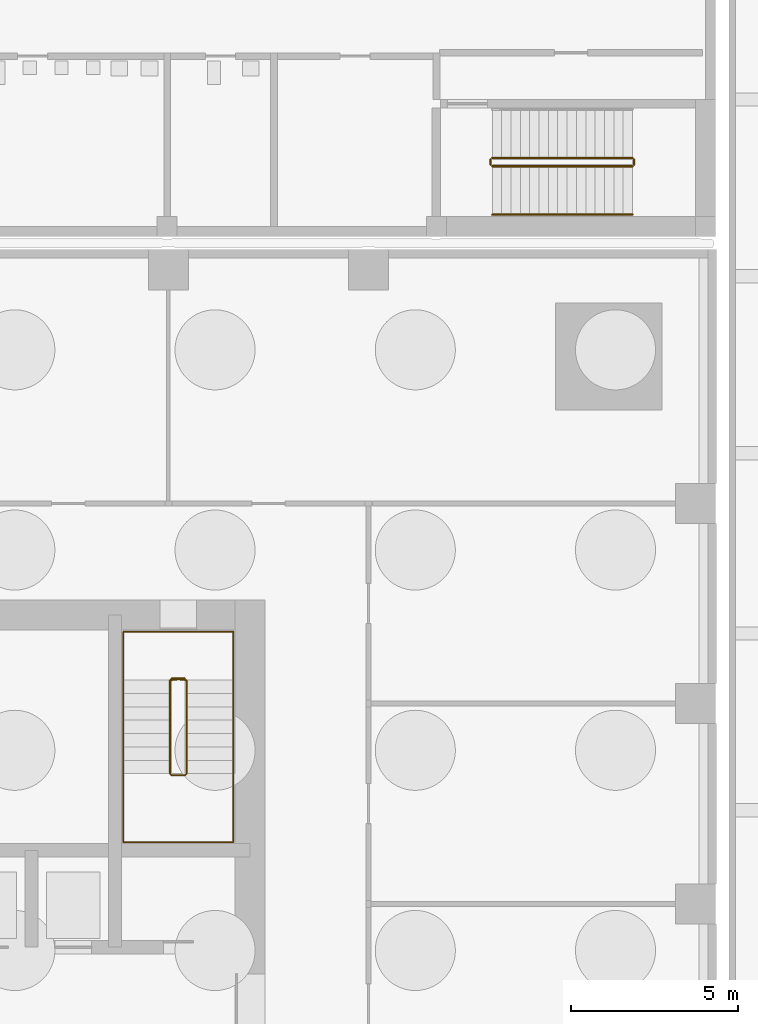
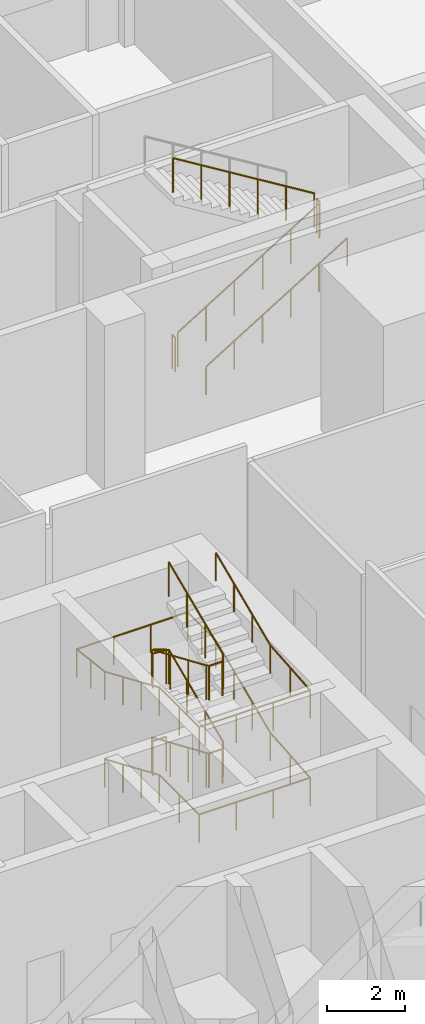
# One storey, part 29 of 33: 7 railings.
"""IFC4 building model written with IfcOpenShell, lengths in metres."""

import ifcopenshell
import ifcopenshell.guid

model = None  # the IFC model being written
_history = None  # IfcOwnerHistory: only IFC2X3 demands one
_inside = {}  # id of a spatial element -> (the spatial element, [elements in it])
_under = {}  # id of a project, library or spatial element -> (it, [spatial elements below it])
_declared = {}  # id of a project -> (the project, [libraries it declares])
_typed = {}  # id of a type object -> (the type object, [elements of that type])
_made_of = {}  # id of a material, layer set ... -> (it, [elements and type objects made of it])


def new_model(schema):
    """Start an empty IFC model of exactly this schema.

    Asked for "IFC4X3", IfcOpenShell would pick the latest addendum, in which some entities
    have other attributes; the version numbers below select the first issue.
    IFC2X3 requires an IfcOwnerHistory on every rooted entity: one is made here for all.
    """
    global model, _history
    if schema == "IFC4X3":
        model = ifcopenshell.file(schema_version=(4, 3, 0, 0))
    else:
        model = ifcopenshell.file(schema=schema)
    _inside.clear()
    _under.clear()
    _declared.clear()
    _typed.clear()
    _made_of.clear()
    _history = None
    if model.schema == "IFC2X3":
        org = make("IfcOrganization", Name="unknown")
        user = make(
            "IfcPersonAndOrganization",
            ThePerson=make("IfcPerson", FamilyName="unknown"),
            TheOrganization=org,
        )
        app = make(
            "IfcApplication",
            ApplicationDeveloper=org,
            Version="unknown",
            ApplicationFullName="unknown",
            ApplicationIdentifier="unknown",
        )
        _history = make(
            "IfcOwnerHistory",
            OwningUser=user,
            OwningApplication=app,
            ChangeAction="ADDED",
            CreationDate=0,
        )
    return model


def make(cls, **values):
    """One entity of the class cls with the attributes given. An attribute that is None is left unset."""
    return model.create_entity(
        cls, **{name: value for name, value in values.items() if value is not None}
    )


def rooted(cls, **values):
    """An entity with a GlobalId (a new one), such as an element, a storey or a relation."""
    return make(cls, GlobalId=ifcopenshell.guid.new(), OwnerHistory=_history, **values)


def si_unit(unit_type, name, prefix=None):
    """IfcSIUnit, for example si_unit("LENGTHUNIT", "METRE", prefix="MILLI")."""
    return make("IfcSIUnit", UnitType=unit_type, Prefix=prefix, Name=name)


def assignment(units):
    """IfcUnitAssignment: the units of a project."""
    return None if units is None else make("IfcUnitAssignment", Units=units)


def point(xyz):
    """IfcCartesianPoint."""
    return None if xyz is None else make("IfcCartesianPoint", Coordinates=xyz)


def direction(xyz):
    """IfcDirection."""
    return None if xyz is None else make("IfcDirection", DirectionRatios=xyz)


def frame(location, z_axis=None, x_axis=None):
    """IfcAxis2Placement3D, a coordinate frame: its origin and axes. An axis left out is left unset."""
    return make(
        "IfcAxis2Placement3D",
        Location=point(location),
        Axis=direction(z_axis),
        RefDirection=direction(x_axis),
    )


def frame_2d(location, x_axis=None):
    """IfcAxis2Placement2D, a coordinate frame in the plane: its origin and x axis."""
    return make(
        "IfcAxis2Placement2D", Location=point(location), RefDirection=direction(x_axis)
    )


def origin():
    """The frame at (0, 0, 0) with its axes left unset."""
    return frame((0.0, 0.0, 0.0))


def origin_2d():
    """The frame at (0, 0) in the plane with its x axis left unset."""
    return frame_2d((0.0, 0.0))


def place(relative_to, where):
    """IfcLocalPlacement: puts the frame where relative to a parent placement (None: the world)."""
    return make(
        "IfcLocalPlacement", PlacementRelTo=relative_to, RelativePlacement=where
    )


def context(
    kind, dimensions, precision=None, world=None, true_north=None, identifier=None
):
    """IfcGeometricRepresentationContext, for example the 3D "Model" context."""
    return make(
        "IfcGeometricRepresentationContext",
        ContextIdentifier=identifier,
        ContextType=kind,
        CoordinateSpaceDimension=dimensions,
        Precision=precision,
        WorldCoordinateSystem=world,
        TrueNorth=true_north,
    )


def subcontext(parent, identifier, kind, view, scale=None):
    """IfcGeometricRepresentationSubContext, for example "Body" below "Model"."""
    return make(
        "IfcGeometricRepresentationSubContext",
        ContextIdentifier=identifier,
        ContextType=kind,
        ParentContext=parent,
        TargetScale=scale,
        TargetView=view,
    )


def project(units=None, contexts=None):
    """IfcProject with its units and contexts."""
    return rooted(
        "IfcProject",
        Name="project",
        RepresentationContexts=contexts,
        UnitsInContext=assignment(units),
    )


def spatial(cls, under=None, at=None, **own):
    """A site, building, storey or space (cls), placed at a placement, below another one or the project."""
    s = rooted(cls, ObjectPlacement=at, **own)
    if under is not None:
        _under.setdefault(under.id(), (under, []))[1].append(s)
    return s


def profile(cls, at=None, kind="AREA", **sizes):
    """A parametric profile (cls). Its sizes go by their IFC names, for example OverallWidth=200.0."""
    return make(cls, ProfileType=kind, Position=at, **sizes)


def circle(**sizes):
    """IfcCircleProfileDef."""
    return profile("IfcCircleProfileDef", **sizes)


def extrude(swept, where, along, depth):
    """IfcExtrudedAreaSolid: the profile swept, set in the frame where, extruded along a direction by depth."""
    return make(
        "IfcExtrudedAreaSolid",
        SweptArea=swept,
        Position=where,
        ExtrudedDirection=direction(along),
        Depth=depth,
    )


def shape(context_of_items, identifier, shape_type, items):
    """IfcShapeRepresentation: the items that make up one representation, for example the "Body"."""
    return make(
        "IfcShapeRepresentation",
        ContextOfItems=context_of_items,
        RepresentationIdentifier=identifier,
        RepresentationType=shape_type,
        Items=items,
    )


def material(Name=None, Category=None):
    """IfcMaterial."""
    return make("IfcMaterial", Name=Name, Category=Category)


def made_of(thing, what):
    """Note that an element or type object is made of a material, layer set ...; save() writes the relation."""
    if what is not None:
        _made_of.setdefault(what.id(), (what, []))[1].append(thing)
    return thing


def type_object(cls, material=None, **own):
    """A type object (cls), such as IfcWallType, which elements share."""
    return made_of(rooted(cls, **own), material)


def element(
    cls,
    number,
    at=None,
    inside=None,
    cuts=None,
    type_object=None,
    material=None,
    context=None,
    identifier="Body",
    shape_type=None,
    held_by="IfcProductDefinitionShape",
    body=None,
    shapes=None,
    **own,
):
    """One element of the class cls, such as IfcWall. Its Tag is "e" and its number.

    at: its placement. inside: the storey or other place that contains it. cuts: it is an
    opening in that element (IfcRelVoidsElement). A single representation is given by context,
    identifier, shape_type and body (its items); several are given by shapes. held_by: the class
    of the entity that holds the representations. save() writes the other relations.
    """
    e = rooted(cls, Tag="e%d" % number, ObjectPlacement=at, **own)
    if body is not None:
        shapes = [shape(context, identifier, shape_type, body)]
    if shapes is not None:
        e.Representation = make(held_by, Representations=shapes)
    if inside is not None:
        _inside.setdefault(inside.id(), (inside, []))[1].append(e)
    if cuts is not None:
        rooted(
            "IfcRelVoidsElement", RelatingBuildingElement=cuts, RelatedOpeningElement=e
        )
    if type_object is not None:
        _typed.setdefault(type_object.id(), (type_object, []))[1].append(e)
    return made_of(e, material)


def aggregate(whole, parts):
    """IfcRelAggregates: a whole, such as a stair, and the parts it consists of."""
    return rooted("IfcRelAggregates", RelatingObject=whole, RelatedObjects=parts)


def save(model, path):
    """Write the relations noted so far, then the file.

    IfcRelAggregates (storeys below a building ...), IfcRelContainedInSpatialStructure (elements
    in a storey), IfcRelDefinesByType, IfcRelAssociatesMaterial and IfcRelDeclares: one each for
    every whole, place, type object, material and project.
    """
    for whole, parts in _under.values():
        aggregate(whole, parts)
    for where, things in _inside.values():
        rooted(
            "IfcRelContainedInSpatialStructure",
            RelatedElements=things,
            RelatingStructure=where,
        )
    for kind, things in _typed.values():
        rooted("IfcRelDefinesByType", RelatedObjects=things, RelatingType=kind)
    for what, things in _made_of.values():
        rooted("IfcRelAssociatesMaterial", RelatedObjects=things, RelatingMaterial=what)
    for by, libraries in _declared.values():
        rooted("IfcRelDeclares", RelatingContext=by, RelatedDefinitions=libraries)
    model.write(path)


model = new_model("IFC4")

# Units and contexts
model_context = context("Model", 3, precision=1e-05, world=origin(), true_north=direction((0.0, 1.0)))
body_context = subcontext(model_context, "Body", "Model", "MODEL_VIEW")
ifc_project = project(units=[si_unit("LENGTHUNIT", "METRE"), si_unit("AREAUNIT", "SQUARE_METRE"), si_unit("VOLUMEUNIT", "CUBIC_METRE"), si_unit("PLANEANGLEUNIT", "RADIAN"), si_unit("MASSUNIT", "GRAM", prefix="KILO")], contexts=[model_context])

# Site, building, storey
site_placement = place(None, origin())
site = spatial("IfcSite", under=ifc_project, at=site_placement, CompositionType="ELEMENT")
building_placement = place(site_placement, origin())
building = spatial("IfcBuilding", under=site, at=building_placement, Name="Amberfall Residences", CompositionType="ELEMENT")
storey_placement = place(building_placement, origin())
storey = spatial("IfcBuildingStorey", under=building, at=storey_placement, Name="L00", CompositionType="ELEMENT", Elevation=0.0)

# Railings
ifc_material_1 = material(Name="Stainless steel", Category="steel")
railing_type_1 = type_object("IfcRailingType", Name="School stair guard 1100", PredefinedType="GUARDRAIL", material=ifc_material_1)
railing_1_placement = place(storey_placement, frame((93.30810546875, 70.5, 0.171875)))
element("IfcRailing", 1, at=railing_1_placement, inside=storey, type_object=railing_type_1, Name="L00 SS5 stair guard 1", PredefinedType="GUARDRAIL", context=body_context, shape_type="SweptSolid", body=[
    extrude(circle(Radius=0.02392578125, at=origin_2d()), frame((0.0, 0.0, 1.076171875), z_axis=(0.852242915053, 0.0, 0.523146264196), x_axis=(0.0, 1.0, 0.0)), (0.0, 0.0, 1.0), 4.92822265625),
    extrude(circle(Radius=0.02099609375, at=origin_2d()), origin(), (0.0, 0.0, 1.0), 1.052001953125),
    extrude(circle(Radius=0.02099609375, at=origin_2d()), frame((0.840087890625, 0.0, 0.515625)), (0.0, 0.0, 1.0), 1.052001953125),
    extrude(circle(Radius=0.02099609375, at=origin_2d()), frame((1.679931640625, 0.0, 1.03125)), (0.0, 0.0, 1.0), 1.052001953125),
    extrude(circle(Radius=0.02099609375, at=origin_2d()), frame((2.52001953125, 0.0, 1.546875)), (0.0, 0.0, 1.0), 1.052001953125),
    extrude(circle(Radius=0.02099609375, at=origin_2d()), frame((3.35986328125, 0.0, 2.0625)), (0.0, 0.0, 1.0), 1.052001953125),
    extrude(circle(Radius=0.02099609375, at=origin_2d()), frame((4.199951171875, 0.0, 2.578125)), (0.0, 0.0, 1.0), 1.052001953125),
])
railing_2_placement = place(storey_placement, frame((97.55810546875, 70.550048828125, 2.75)))
element("IfcRailing", 2, at=railing_2_placement, inside=storey, type_object=railing_type_1, Name="L00 SS5 stair guard 2", PredefinedType="GUARDRAIL", context=body_context, shape_type="SweptSolid", body=[
    extrude(circle(Radius=0.02392578125, at=origin_2d()), frame((0.0, 0.0, 1.076171875), z_axis=(0.0, 1.0, 0.0), x_axis=(-1.0, 0.0, 0.0)), (0.0, 0.0, 1.0), 0.14990234375),
    extrude(circle(Radius=0.02099609375, at=origin_2d()), origin(), (0.0, 0.0, 1.0), 1.052001953125),
    extrude(circle(Radius=0.02099609375, at=origin_2d()), frame((0.0, 0.14990234375, 0.0)), (0.0, 0.0, 1.0), 1.052001953125),
])
railing_3_placement = place(storey_placement, frame((97.508056640625, 70.75, 2.921875)))
element("IfcRailing", 3, at=railing_3_placement, inside=storey, type_object=railing_type_1, Name="L00 SS5 stair guard 3", PredefinedType="GUARDRAIL", context=body_context, shape_type="SweptSolid", body=[
    extrude(circle(Radius=0.02392578125, at=origin_2d()), frame((0.0, 0.0, 1.076171875), z_axis=(-0.852242915053, 0.0, 0.523146264196), x_axis=(0.0, -1.0, 0.0)), (0.0, 0.0, 1.0), 4.92822265625),
    extrude(circle(Radius=0.02099609375, at=origin_2d()), origin(), (0.0, 0.0, 1.0), 1.052001953125),
    extrude(circle(Radius=0.02099609375, at=origin_2d()), frame((-0.840087890625, 0.0, 0.515625)), (0.0, 0.0, 1.0), 1.052001953125),
    extrude(circle(Radius=0.02099609375, at=origin_2d()), frame((-1.679931640625, 0.0, 1.03125)), (0.0, 0.0, 1.0), 1.052001953125),
    extrude(circle(Radius=0.02099609375, at=origin_2d()), frame((-2.52001953125, 0.0, 1.546875)), (0.0, 0.0, 1.0), 1.052001953125),
    extrude(circle(Radius=0.02099609375, at=origin_2d()), frame((-3.35986328125, 0.0, 2.0625)), (0.0, 0.0, 1.0), 1.052001953125),
    extrude(circle(Radius=0.02099609375, at=origin_2d()), frame((-4.199951171875, 0.0, 2.578125)), (0.0, 0.0, 1.0), 1.052001953125),
])
railing_4_placement = place(storey_placement, frame((93.258056640625, 70.550048828125, 0.0)))
element("IfcRailing", 4, at=railing_4_placement, inside=storey, type_object=railing_type_1, Name="L00 SS5 stair guard 4", PredefinedType="GUARDRAIL", context=body_context, shape_type="SweptSolid", body=[
    extrude(circle(Radius=0.02392578125, at=origin_2d()), frame((0.0, 0.0, 1.076171875), z_axis=(0.0, 1.0, 0.0), x_axis=(-1.0, 0.0, 0.0)), (0.0, 0.0, 1.0), 0.14990234375),
    extrude(circle(Radius=0.02099609375, at=origin_2d()), origin(), (0.0, 0.0, 1.0), 1.052001953125),
    extrude(circle(Radius=0.02099609375, at=origin_2d()), frame((0.0, 0.14990234375, 0.0)), (0.0, 0.0, 1.0), 1.052001953125),
])
railing_type_2 = type_object("IfcRailingType", Name="School stair handrail", PredefinedType="HANDRAIL", material=ifc_material_1)
railing_5_placement = place(storey_placement, frame((93.30810546875, 69.050048828125, 0.171875)))
element("IfcRailing", 5, at=railing_5_placement, inside=storey, type_object=railing_type_2, Name="L00 SS5 stair handrail 1", PredefinedType="HANDRAIL", context=body_context, shape_type="SweptSolid", body=[
    extrude(circle(Radius=0.02392578125, at=origin_2d()), frame((0.0, 0.0, 0.8759765625), z_axis=(0.852242915053, 0.0, 0.523146264196), x_axis=(0.0, 1.0, 0.0)), (0.0, 0.0, 1.0), 4.92822265625),
    extrude(circle(Radius=0.02099609375, at=origin_2d()), origin(), (0.0, 0.0, 1.0), 0.851806640625),
    extrude(circle(Radius=0.02099609375, at=origin_2d()), frame((0.840087890625, 0.0, 0.515625)), (0.0, 0.0, 1.0), 0.851806640625),
    extrude(circle(Radius=0.02099609375, at=origin_2d()), frame((1.679931640625, 0.0, 1.03125)), (0.0, 0.0, 1.0), 0.851806640625),
    extrude(circle(Radius=0.02099609375, at=origin_2d()), frame((2.52001953125, 0.0, 1.546875)), (0.0, 0.0, 1.0), 0.851806640625),
    extrude(circle(Radius=0.02099609375, at=origin_2d()), frame((3.35986328125, 0.0, 2.0625)), (0.0, 0.0, 1.0), 0.851806640625),
    extrude(circle(Radius=0.02099609375, at=origin_2d()), frame((4.199951171875, 0.0, 2.578125)), (0.0, 0.0, 1.0), 0.851806640625),
])
ifc_material_2 = material(Name="Stainless steel 316", Category="steel")
railing_type_3 = type_object("IfcRailingType", Name="Stair guard 1100", PredefinedType="GUARDRAIL", material=ifc_material_2)
railing_6_placement = place(storey_placement, frame((84.10009765625, 55.14990234375, 0.0)))
element("IfcRailing", 6, at=railing_6_placement, inside=storey, type_object=railing_type_3, Name="L00 stair 3 guard", PredefinedType="GUARDRAIL", context=body_context, shape_type="SweptSolid", body=[
    extrude(circle(Radius=0.02392578125, at=origin_2d()), frame((0.0, 0.0, 1.076171875), z_axis=(-1.0, 0.0, 0.0), x_axis=(0.0, -1.0, 0.0)), (0.0, 0.0, 1.0), 0.400146484375),
    extrude(circle(Radius=0.02392578125, at=origin_2d()), frame((-0.400146484375, 0.0, 1.076171875), z_axis=(-0.26935076646, -0.268036860282, 0.924989949209), x_axis=(0.705375805398, -0.708833529934, 0.0)), (0.0, 0.0, 1.0), 0.185791015625),
    extrude(circle(Radius=0.02392578125, at=origin_2d()), frame((-0.4501953125, -0.0498046875, 1.248046875), z_axis=(0.0, -0.918775847296, 0.394779612475), x_axis=(1.0, 0.0, 0.0)), (0.0, 0.0, 1.0), 3.047607421875),
    extrude(circle(Radius=0.02392578125, at=origin_2d()), frame((-0.4501953125, -2.849853515625, 2.451171875), z_axis=(0.707106781187, -0.707106781187, 0.0), x_axis=(0.707106781187, 0.707106781187, 0.0)), (0.0, 0.0, 1.0), 0.07080078125),
    extrude(circle(Radius=0.02392578125, at=origin_2d()), frame((-0.400146484375, -2.89990234375, 2.451171875), z_axis=(1.0, 0.0, 0.0), x_axis=(0.0, 1.0, 0.0)), (0.0, 0.0, 1.0), 0.400146484375),
    extrude(circle(Radius=0.02392578125, at=origin_2d()), frame((0.0, -2.89990234375, 2.451171875), z_axis=(0.268036860282, 0.26935076646, 0.924989949209), x_axis=(-0.708833529934, 0.705375805398, 0.0)), (0.0, 0.0, 1.0), 0.185791015625),
    extrude(circle(Radius=0.02392578125, at=origin_2d()), frame((0.0498046875, -2.849853515625, 2.623046875), z_axis=(0.0, 0.918775847296, 0.394779612475), x_axis=(-1.0, 0.0, 0.0)), (0.0, 0.0, 1.0), 3.047607421875),
    extrude(circle(Radius=0.02392578125, at=origin_2d()), frame((0.0498046875, -0.0498046875, 3.826171875), z_axis=(-0.993929686101, 0.110017176324, 0.0), x_axis=(-0.110017176324, -0.993929686101, 0.0)), (0.0, 0.0, 1.0), 0.45263671875),
    extrude(circle(Radius=0.02392578125, at=origin_2d()), frame((-0.400146484375, 0.0, 3.826171875), z_axis=(1.0, 0.0, 0.0), x_axis=(0.0, 1.0, 0.0)), (0.0, 0.0, 1.0), 0.400146484375),
    extrude(circle(Radius=0.02392578125, at=origin_2d()), frame((0.0, 0.0, 3.826171875), z_axis=(-0.929280626742, -0.102805448945, 0.354779588518), x_axis=(0.109958235639, -0.993936208423, 0.0)), (0.0, 0.0, 1.0), 0.484375),
    extrude(circle(Radius=0.02392578125, at=origin_2d()), frame((-0.4501953125, -0.0498046875, 3.998046875), z_axis=(0.0, -0.918775847296, 0.394779612475), x_axis=(1.0, 0.0, 0.0)), (0.0, 0.0, 1.0), 3.047607421875),
    extrude(circle(Radius=0.02392578125, at=origin_2d()), frame((-0.4501953125, -2.849853515625, 5.201171875), z_axis=(0.707106781187, -0.707106781187, 0.0), x_axis=(0.707106781187, 0.707106781187, 0.0)), (0.0, 0.0, 1.0), 0.07080078125),
    extrude(circle(Radius=0.02392578125, at=origin_2d()), frame((-0.400146484375, -2.89990234375, 5.201171875), z_axis=(1.0, 0.0, 0.0), x_axis=(0.0, 1.0, 0.0)), (0.0, 0.0, 1.0), 0.400146484375),
    extrude(circle(Radius=0.02392578125, at=origin_2d()), frame((0.0, -2.89990234375, 5.201171875), z_axis=(0.268036860282, 0.26935076646, 0.924989949209), x_axis=(-0.708833529934, 0.705375805398, 0.0)), (0.0, 0.0, 1.0), 0.185791015625),
    extrude(circle(Radius=0.02392578125, at=origin_2d()), frame((0.0498046875, -2.849853515625, 5.373046875), z_axis=(0.0, 0.918775847296, 0.394779612475), x_axis=(-1.0, 0.0, 0.0)), (0.0, 0.0, 1.0), 3.047607421875),
    extrude(circle(Radius=0.02099609375, at=origin_2d()), origin(), (0.0, 0.0, 1.0), 1.052001953125),
    extrude(circle(Radius=0.02099609375, at=origin_2d()), frame((-0.400146484375, 0.0, 0.0)), (0.0, 0.0, 1.0), 1.052001953125),
    extrude(circle(Radius=0.02099609375, at=origin_2d()), frame((-0.4501953125, -0.0498046875, 0.171875)), (0.0, 0.0, 1.0), 1.052001953125),
    extrude(circle(Radius=0.02099609375, at=origin_2d()), frame((-0.4501953125, -0.983154296875, 0.572998046875)), (0.0, 0.0, 1.0), 1.052001953125),
    extrude(circle(Radius=0.02099609375, at=origin_2d()), frame((-0.4501953125, -1.91650390625, 0.973876953125)), (0.0, 0.0, 1.0), 1.052001953125),
    extrude(circle(Radius=0.02099609375, at=origin_2d()), frame((-0.4501953125, -2.849853515625, 1.375)), (0.0, 0.0, 1.0), 1.052001953125),
    extrude(circle(Radius=0.02099609375, at=origin_2d()), frame((-0.400146484375, -2.89990234375, 1.375)), (0.0, 0.0, 1.0), 1.052001953125),
    extrude(circle(Radius=0.02099609375, at=origin_2d()), frame((0.0, -2.89990234375, 1.375)), (0.0, 0.0, 1.0), 1.052001953125),
    extrude(circle(Radius=0.02099609375, at=origin_2d()), frame((0.0498046875, -2.849853515625, 1.546875)), (0.0, 0.0, 1.0), 1.052001953125),
    extrude(circle(Radius=0.02099609375, at=origin_2d()), frame((0.0498046875, -1.91650390625, 1.947998046875)), (0.0, 0.0, 1.0), 1.052001953125),
    extrude(circle(Radius=0.02099609375, at=origin_2d()), frame((0.0498046875, -0.983154296875, 2.348876953125)), (0.0, 0.0, 1.0), 1.052001953125),
    extrude(circle(Radius=0.02099609375, at=origin_2d()), frame((0.0498046875, -0.0498046875, 2.75)), (0.0, 0.0, 1.0), 1.052001953125),
    extrude(circle(Radius=0.02099609375, at=origin_2d()), frame((-0.400146484375, 0.0, 2.75)), (0.0, 0.0, 1.0), 1.052001953125),
    extrude(circle(Radius=0.02099609375, at=origin_2d()), frame((0.0, 0.0, 2.75)), (0.0, 0.0, 1.0), 1.052001953125),
    extrude(circle(Radius=0.02099609375, at=origin_2d()), frame((-0.4501953125, -0.0498046875, 2.921875)), (0.0, 0.0, 1.0), 1.052001953125),
    extrude(circle(Radius=0.02099609375, at=origin_2d()), frame((-0.4501953125, -0.983154296875, 3.322998046875)), (0.0, 0.0, 1.0), 1.052001953125),
    extrude(circle(Radius=0.02099609375, at=origin_2d()), frame((-0.4501953125, -1.91650390625, 3.723876953125)), (0.0, 0.0, 1.0), 1.052001953125),
    extrude(circle(Radius=0.02099609375, at=origin_2d()), frame((-0.4501953125, -2.849853515625, 4.125)), (0.0, 0.0, 1.0), 1.052001953125),
    extrude(circle(Radius=0.02099609375, at=origin_2d()), frame((-0.400146484375, -2.89990234375, 4.125)), (0.0, 0.0, 1.0), 1.052001953125),
    extrude(circle(Radius=0.02099609375, at=origin_2d()), frame((0.0, -2.89990234375, 4.125)), (0.0, 0.0, 1.0), 1.052001953125),
    extrude(circle(Radius=0.02099609375, at=origin_2d()), frame((0.0498046875, -2.849853515625, 4.296875)), (0.0, 0.0, 1.0), 1.052001953125),
    extrude(circle(Radius=0.02099609375, at=origin_2d()), frame((0.0498046875, -1.91650390625, 4.697998046875)), (0.0, 0.0, 1.0), 1.052001953125),
    extrude(circle(Radius=0.02099609375, at=origin_2d()), frame((0.0498046875, -0.983154296875, 5.098876953125)), (0.0, 0.0, 1.0), 1.052001953125),
    extrude(circle(Radius=0.02099609375, at=origin_2d()), frame((0.0498046875, -0.0498046875, 5.5)), (0.0, 0.0, 1.0), 1.052001953125),
])
railing_type_4 = type_object("IfcRailingType", Name="Stair handrail 900", PredefinedType="HANDRAIL", material=ifc_material_2)
railing_7_placement = place(storey_placement, frame((82.25, 55.10009765625, 0.171875)))
element("IfcRailing", 7, at=railing_7_placement, inside=storey, type_object=railing_type_4, Name="L00 stair 3 handrail", PredefinedType="HANDRAIL", context=body_context, shape_type="SweptSolid", body=[
    extrude(circle(Radius=0.02392578125, at=origin_2d()), frame((0.0, 0.0, 0.8759765625), z_axis=(0.0, -0.918775847296, 0.394779612475), x_axis=(1.0, 0.0, 0.0)), (0.0, 0.0, 1.0), 3.047607421875),
    extrude(circle(Radius=0.02392578125, at=origin_2d()), frame((0.0, -2.800048828125, 2.0791015625), z_axis=(0.0, -1.0, 0.0), x_axis=(1.0, 0.0, 0.0)), (0.0, 0.0, 1.0), 2.050048828125),
    extrude(circle(Radius=0.02392578125, at=origin_2d()), frame((0.0, -4.85009765625, 2.0791015625), z_axis=(1.0, 0.0, 0.0), x_axis=(0.0, 1.0, 0.0)), (0.0, 0.0, 1.0), 3.300048828125),
    extrude(circle(Radius=0.02392578125, at=origin_2d()), frame((3.300048828125, -4.85009765625, 2.0791015625), z_axis=(0.0, 0.996503891927, 0.083546354641), x_axis=(-1.0, 0.0, 0.0)), (0.0, 0.0, 1.0), 2.05712890625),
    extrude(circle(Radius=0.02392578125, at=origin_2d()), frame((3.300048828125, -2.800048828125, 2.2509765625), z_axis=(0.0, 0.918775847296, 0.394779612475), x_axis=(-1.0, 0.0, 0.0)), (0.0, 0.0, 1.0), 3.047607421875),
    extrude(circle(Radius=0.02392578125, at=origin_2d()), frame((3.300048828125, 0.0, 3.4541015625), z_axis=(0.0, 1.0, 0.0), x_axis=(-1.0, 0.0, 0.0)), (0.0, 0.0, 1.0), 1.449951171875),
    extrude(circle(Radius=0.02392578125, at=origin_2d()), frame((3.300048828125, 1.449951171875, 3.4541015625), z_axis=(-1.0, 0.0, 0.0), x_axis=(0.0, -1.0, 0.0)), (0.0, 0.0, 1.0), 3.300048828125),
    extrude(circle(Radius=0.02392578125, at=origin_2d()), frame((0.0, 1.449951171875, 3.4541015625), z_axis=(0.0, -0.993047498959, 0.117714335623), x_axis=(1.0, 0.0, 0.0)), (0.0, 0.0, 1.0), 1.460205078125),
    extrude(circle(Radius=0.02392578125, at=origin_2d()), frame((0.0, 0.0, 3.6259765625), z_axis=(0.0, -0.918775847296, 0.394779612475), x_axis=(1.0, 0.0, 0.0)), (0.0, 0.0, 1.0), 3.047607421875),
    extrude(circle(Radius=0.02392578125, at=origin_2d()), frame((0.0, -2.800048828125, 4.8291015625), z_axis=(0.0, -1.0, 0.0), x_axis=(1.0, 0.0, 0.0)), (0.0, 0.0, 1.0), 2.050048828125),
    extrude(circle(Radius=0.02392578125, at=origin_2d()), frame((0.0, -4.85009765625, 4.8291015625), z_axis=(1.0, 0.0, 0.0), x_axis=(0.0, 1.0, 0.0)), (0.0, 0.0, 1.0), 3.300048828125),
    extrude(circle(Radius=0.02392578125, at=origin_2d()), frame((3.300048828125, -4.85009765625, 4.8291015625), z_axis=(0.0, 0.996503891927, 0.083546354641), x_axis=(-1.0, 0.0, 0.0)), (0.0, 0.0, 1.0), 2.05712890625),
    extrude(circle(Radius=0.02392578125, at=origin_2d()), frame((3.300048828125, -2.800048828125, 5.0009765625), z_axis=(0.0, 0.918775847296, 0.394779612475), x_axis=(-1.0, 0.0, 0.0)), (0.0, 0.0, 1.0), 3.047607421875),
    extrude(circle(Radius=0.02099609375, at=origin_2d()), origin(), (0.0, 0.0, 1.0), 0.851806640625),
    extrude(circle(Radius=0.02099609375, at=origin_2d()), frame((0.0, -0.933349609375, 0.401123046875)), (0.0, 0.0, 1.0), 0.851806640625),
    extrude(circle(Radius=0.02099609375, at=origin_2d()), frame((0.0, -1.86669921875, 0.802001953125)), (0.0, 0.0, 1.0), 0.851806640625),
    extrude(circle(Radius=0.02099609375, at=origin_2d()), frame((0.0, -2.800048828125, 1.203125)), (0.0, 0.0, 1.0), 0.851806640625),
    extrude(circle(Radius=0.02099609375, at=origin_2d()), frame((0.0, -3.8251953125, 1.203125)), (0.0, 0.0, 1.0), 0.851806640625),
    extrude(circle(Radius=0.02099609375, at=origin_2d()), frame((0.0, -4.85009765625, 1.203125)), (0.0, 0.0, 1.0), 0.851806640625),
    extrude(circle(Radius=0.02099609375, at=origin_2d()), frame((1.10009765625, -4.85009765625, 1.203125)), (0.0, 0.0, 1.0), 0.851806640625),
    extrude(circle(Radius=0.02099609375, at=origin_2d()), frame((2.199951171875, -4.85009765625, 1.203125)), (0.0, 0.0, 1.0), 0.851806640625),
    extrude(circle(Radius=0.02099609375, at=origin_2d()), frame((3.300048828125, -4.85009765625, 1.203125)), (0.0, 0.0, 1.0), 0.851806640625),
    extrude(circle(Radius=0.02099609375, at=origin_2d()), frame((3.300048828125, -3.8251953125, 1.2890625)), (0.0, 0.0, 1.0), 0.851806640625),
    extrude(circle(Radius=0.02099609375, at=origin_2d()), frame((3.300048828125, -2.800048828125, 1.375)), (0.0, 0.0, 1.0), 0.851806640625),
    extrude(circle(Radius=0.02099609375, at=origin_2d()), frame((3.300048828125, -1.86669921875, 1.776123046875)), (0.0, 0.0, 1.0), 0.851806640625),
    extrude(circle(Radius=0.02099609375, at=origin_2d()), frame((3.300048828125, -0.933349609375, 2.177001953125)), (0.0, 0.0, 1.0), 0.851806640625),
    extrude(circle(Radius=0.02099609375, at=origin_2d()), frame((3.300048828125, 0.0, 2.578125)), (0.0, 0.0, 1.0), 0.851806640625),
    extrude(circle(Radius=0.02099609375, at=origin_2d()), frame((3.300048828125, 0.72509765625, 2.578125)), (0.0, 0.0, 1.0), 0.851806640625),
    extrude(circle(Radius=0.02099609375, at=origin_2d()), frame((3.300048828125, 1.449951171875, 2.578125)), (0.0, 0.0, 1.0), 0.851806640625),
    extrude(circle(Radius=0.02099609375, at=origin_2d()), frame((2.199951171875, 1.449951171875, 2.578125)), (0.0, 0.0, 1.0), 0.851806640625),
    extrude(circle(Radius=0.02099609375, at=origin_2d()), frame((1.10009765625, 1.449951171875, 2.578125)), (0.0, 0.0, 1.0), 0.851806640625),
    extrude(circle(Radius=0.02099609375, at=origin_2d()), frame((0.0, 1.449951171875, 2.578125)), (0.0, 0.0, 1.0), 0.851806640625),
    extrude(circle(Radius=0.02099609375, at=origin_2d()), frame((0.0, 0.72509765625, 2.6640625)), (0.0, 0.0, 1.0), 0.851806640625),
    extrude(circle(Radius=0.02099609375, at=origin_2d()), frame((0.0, 0.0, 2.75)), (0.0, 0.0, 1.0), 0.851806640625),
    extrude(circle(Radius=0.02099609375, at=origin_2d()), frame((0.0, -0.933349609375, 3.151123046875)), (0.0, 0.0, 1.0), 0.851806640625),
    extrude(circle(Radius=0.02099609375, at=origin_2d()), frame((0.0, -1.86669921875, 3.552001953125)), (0.0, 0.0, 1.0), 0.851806640625),
    extrude(circle(Radius=0.02099609375, at=origin_2d()), frame((0.0, -2.800048828125, 3.953125)), (0.0, 0.0, 1.0), 0.851806640625),
    extrude(circle(Radius=0.02099609375, at=origin_2d()), frame((0.0, -3.8251953125, 3.953125)), (0.0, 0.0, 1.0), 0.851806640625),
    extrude(circle(Radius=0.02099609375, at=origin_2d()), frame((0.0, -4.85009765625, 3.953125)), (0.0, 0.0, 1.0), 0.851806640625),
    extrude(circle(Radius=0.02099609375, at=origin_2d()), frame((1.10009765625, -4.85009765625, 3.953125)), (0.0, 0.0, 1.0), 0.851806640625),
    extrude(circle(Radius=0.02099609375, at=origin_2d()), frame((2.199951171875, -4.85009765625, 3.953125)), (0.0, 0.0, 1.0), 0.851806640625),
    extrude(circle(Radius=0.02099609375, at=origin_2d()), frame((3.300048828125, -4.85009765625, 3.953125)), (0.0, 0.0, 1.0), 0.851806640625),
    extrude(circle(Radius=0.02099609375, at=origin_2d()), frame((3.300048828125, -3.8251953125, 4.0390625)), (0.0, 0.0, 1.0), 0.851806640625),
    extrude(circle(Radius=0.02099609375, at=origin_2d()), frame((3.300048828125, -2.800048828125, 4.125)), (0.0, 0.0, 1.0), 0.851806640625),
    extrude(circle(Radius=0.02099609375, at=origin_2d()), frame((3.300048828125, -1.86669921875, 4.526123046875)), (0.0, 0.0, 1.0), 0.851806640625),
    extrude(circle(Radius=0.02099609375, at=origin_2d()), frame((3.300048828125, -0.933349609375, 4.927001953125)), (0.0, 0.0, 1.0), 0.851806640625),
    extrude(circle(Radius=0.02099609375, at=origin_2d()), frame((3.300048828125, 0.0, 5.328125)), (0.0, 0.0, 1.0), 0.851806640625),
])

save(model, "model.ifc")
